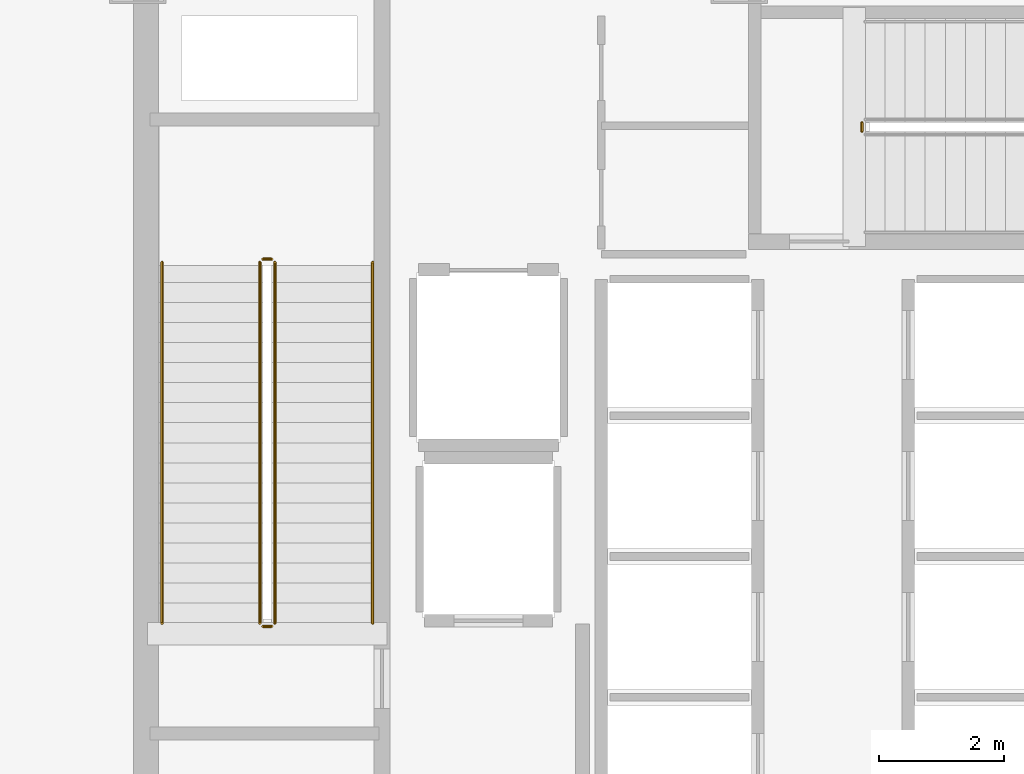
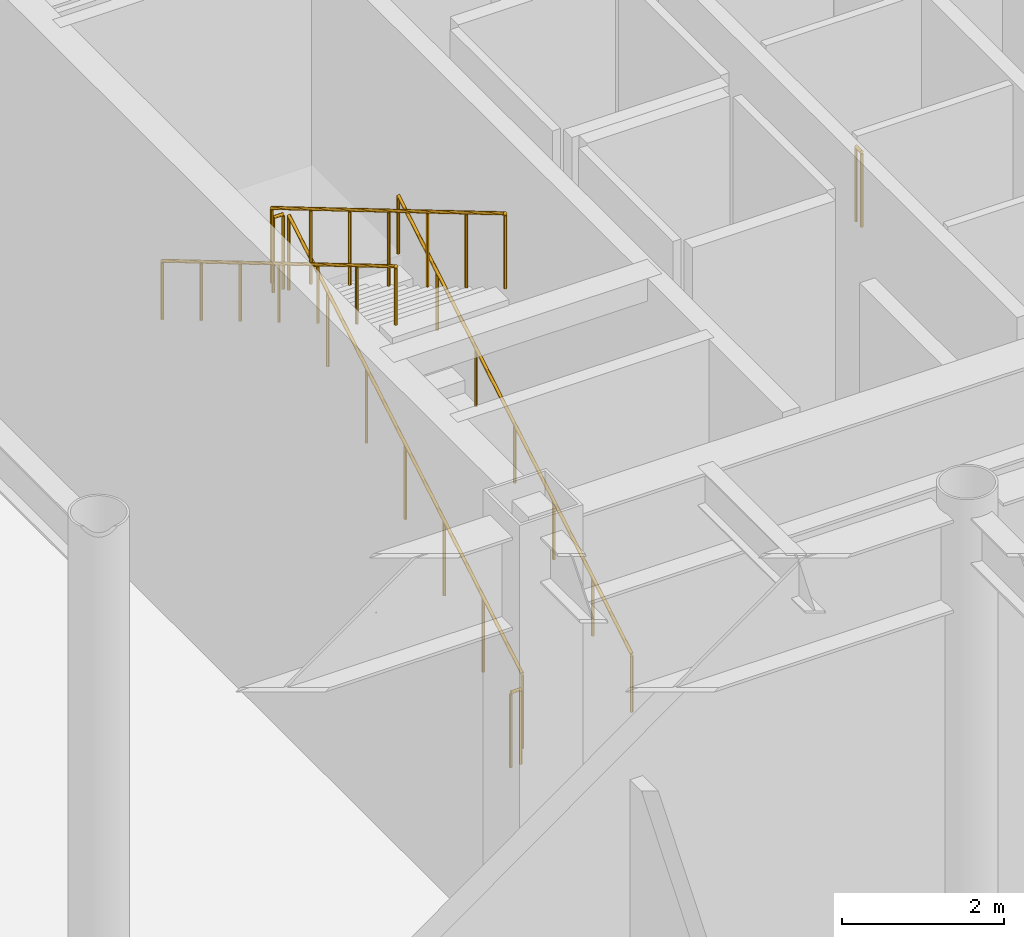
# One storey, part 20 of 23: 7 railings.
"""IFC4 building model written with IfcOpenShell, lengths in metres."""

from ifc_helpers import new_model, si_unit, direction, frame, origin, origin_2d, place, context, subcontext, project, spatial, circle, extrude, material, layer, layer_set, type_object, element, save


model = new_model("IFC4")

# Units and contexts
model_context = context("Model", 3, precision=1e-05, world=origin(), true_north=direction((0.0, 1.0)))
body_context = subcontext(model_context, "Body", "Model", "MODEL_VIEW")
ifc_project = project(units=[si_unit("LENGTHUNIT", "METRE"), si_unit("AREAUNIT", "SQUARE_METRE"), si_unit("VOLUMEUNIT", "CUBIC_METRE"), si_unit("PLANEANGLEUNIT", "RADIAN"), si_unit("MASSUNIT", "GRAM", prefix="KILO")], contexts=[model_context])

# Site, building, storey
site_placement = place(None, origin())
site = spatial("IfcSite", under=ifc_project, at=site_placement, CompositionType="ELEMENT")
building_placement = place(site_placement, origin())
building = spatial("IfcBuilding", under=site, at=building_placement, Name="Kallvorn Hotel Tower", CompositionType="ELEMENT")
storey_placement = place(building_placement, frame((0.0, 0.0, 12.0)))
storey = spatial("IfcBuildingStorey", under=building, at=storey_placement, Name="L02", CompositionType="ELEMENT", Elevation=12.0)

# Railings
ifc_material_1 = material(Name="Brushed stainless-steel tubular railing", Category="steel")
ifc_layer_1 = layer(ifc_material_1, 0.050048828125)
ifc_layer_set_1 = layer_set([ifc_layer_1], Name="RL_STAIR_GUARD")
railing_type_1 = type_object("IfcRailingType", Name="RL_STAIR_GUARD", PredefinedType="GUARDRAIL", material=ifc_layer_set_1)
railing_1_placement = place(storey_placement, frame((-12.2099609375, -3.139892578125, 0.189453125)))
element("IfcRailing", 1, at=railing_1_placement, inside=storey, type_object=railing_type_1, Name="L02 ST1 stair guard 1", PredefinedType="GUARDRAIL", context=body_context, shape_type="SweptSolid", body=[
    extrude(circle(Radius=0.02392578125, at=origin_2d()), frame((0.0, 0.0, 1.1259765625), z_axis=(0.0, 0.86046802549, 0.509504442678), x_axis=(-1.0, 0.0, 0.0)), (0.0, 0.0, 1.0), 6.694091796875),
    extrude(circle(Radius=0.02099609375, at=origin_2d()), origin(), (0.0, 0.0, 1.0), 1.101806640625),
    extrude(circle(Radius=0.02099609375, at=origin_2d()), frame((0.0, 0.9599609375, 0.568359375)), (0.0, 0.0, 1.0), 1.101806640625),
    extrude(circle(Radius=0.02099609375, at=origin_2d()), frame((0.0, 1.919921875, 1.136962890625)), (0.0, 0.0, 1.0), 1.101806640625),
    extrude(circle(Radius=0.02099609375, at=origin_2d()), frame((0.0, 2.8798828125, 1.705322265625)), (0.0, 0.0, 1.0), 1.101806640625),
    extrude(circle(Radius=0.02099609375, at=origin_2d()), frame((0.0, 3.840087890625, 2.273681640625)), (0.0, 0.0, 1.0), 1.101806640625),
    extrude(circle(Radius=0.02099609375, at=origin_2d()), frame((0.0, 4.800048828125, 2.84228515625)), (0.0, 0.0, 1.0), 1.101806640625),
    extrude(circle(Radius=0.02099609375, at=origin_2d()), frame((0.0, 5.760009765625, 3.41064453125)), (0.0, 0.0, 1.0), 1.101806640625),
])
railing_2_placement = place(storey_placement, frame((-12.260009765625, 2.669921875, 3.60009765625)))
element("IfcRailing", 2, at=railing_2_placement, inside=storey, type_object=railing_type_1, Name="L02 ST1 stair guard 2", PredefinedType="GUARDRAIL", context=body_context, shape_type="SweptSolid", body=[
    extrude(circle(Radius=0.02392578125, at=origin_2d()), frame((0.0, 0.0, 1.1259765625), z_axis=(-1.0, 0.0, 0.0), x_axis=(0.0, -1.0, 0.0)), (0.0, 0.0, 1.0), 0.139892578125),
    extrude(circle(Radius=0.02099609375, at=origin_2d()), origin(), (0.0, 0.0, 1.0), 1.101806640625),
    extrude(circle(Radius=0.02099609375, at=origin_2d()), frame((-0.139892578125, 0.0, 0.0)), (0.0, 0.0, 1.0), 1.101806640625),
])
railing_3_placement = place(storey_placement, frame((-12.449951171875, 2.6201171875, 3.78955078125)))
element("IfcRailing", 3, at=railing_3_placement, inside=storey, type_object=railing_type_1, Name="L02 ST1 stair guard 3", PredefinedType="GUARDRAIL", context=body_context, shape_type="SweptSolid", body=[
    extrude(circle(Radius=0.02392578125, at=origin_2d()), frame((0.0, 0.0, 1.1259765625), z_axis=(0.0, -0.860484014842, 0.509477438364), x_axis=(1.0, 0.0, 0.0)), (0.0, 0.0, 1.0), 6.69384765625),
    extrude(circle(Radius=0.02099609375, at=origin_2d()), origin(), (0.0, 0.0, 1.0), 1.101806640625),
    extrude(circle(Radius=0.02099609375, at=origin_2d()), frame((0.0, -0.9599609375, 0.568359375)), (0.0, 0.0, 1.0), 1.101806640625),
    extrude(circle(Radius=0.02099609375, at=origin_2d()), frame((0.0, -1.919921875, 1.13671875)), (0.0, 0.0, 1.0), 1.101806640625),
    extrude(circle(Radius=0.02099609375, at=origin_2d()), frame((0.0, -2.8798828125, 1.705078125)), (0.0, 0.0, 1.0), 1.101806640625),
    extrude(circle(Radius=0.02099609375, at=origin_2d()), frame((0.0, -3.840087890625, 2.273681640625)), (0.0, 0.0, 1.0), 1.101806640625),
    extrude(circle(Radius=0.02099609375, at=origin_2d()), frame((0.0, -4.800048828125, 2.842041015625)), (0.0, 0.0, 1.0), 1.101806640625),
    extrude(circle(Radius=0.02099609375, at=origin_2d()), frame((0.0, -5.760009765625, 3.410400390625)), (0.0, 0.0, 1.0), 1.101806640625),
])
railing_4_placement = place(storey_placement, frame((-12.260009765625, -3.18994140625, 0.0)))
element("IfcRailing", 4, at=railing_4_placement, inside=storey, type_object=railing_type_1, Name="L02 ST1 stair guard 4", PredefinedType="GUARDRAIL", context=body_context, shape_type="SweptSolid", body=[
    extrude(circle(Radius=0.02392578125, at=origin_2d()), frame((0.0, 0.0, 1.1259765625), z_axis=(-1.0, 0.0, 0.0), x_axis=(0.0, -1.0, 0.0)), (0.0, 0.0, 1.0), 0.139892578125),
    extrude(circle(Radius=0.02099609375, at=origin_2d()), origin(), (0.0, 0.0, 1.0), 1.101806640625),
    extrude(circle(Radius=0.02099609375, at=origin_2d()), frame((-0.139892578125, 0.0, 0.0)), (0.0, 0.0, 1.0), 1.101806640625),
])
railing_5_placement = place(storey_placement, frame((-2.840087890625, 4.7099609375, 0.0)))
element("IfcRailing", 5, at=railing_5_placement, inside=storey, type_object=railing_type_1, Name="L02 ST3 stair guard 4", PredefinedType="GUARDRAIL", context=body_context, shape_type="SweptSolid", body=[
    extrude(circle(Radius=0.02392578125, at=origin_2d()), frame((0.0, 0.0, 1.1259765625), z_axis=(0.0, 1.0, 0.0), x_axis=(-1.0, 0.0, 0.0)), (0.0, 0.0, 1.0), 0.14013671875),
    extrude(circle(Radius=0.02099609375, at=origin_2d()), origin(), (0.0, 0.0, 1.0), 1.101806640625),
    extrude(circle(Radius=0.02099609375, at=origin_2d()), frame((0.0, 0.14013671875, 0.0)), (0.0, 0.0, 1.0), 1.101806640625),
])
ifc_material_2 = material(Name="Brushed stainless-steel tubular railing", Category="steel")
ifc_layer_2 = layer(ifc_material_2, 0.050048828125)
ifc_layer_set_2 = layer_set([ifc_layer_2], Name="RL_STAIR_HAND")
railing_type_2 = type_object("IfcRailingType", Name="RL_STAIR_HAND", PredefinedType="HANDRAIL", material=ifc_layer_set_2)
railing_6_placement = place(storey_placement, frame((-10.64990234375, -3.139892578125, 0.189453125)))
element("IfcRailing", 6, at=railing_6_placement, inside=storey, type_object=railing_type_2, Name="L02 ST1 stair handrail 1", PredefinedType="HANDRAIL", context=body_context, shape_type="SweptSolid", body=[
    extrude(circle(Radius=0.02392578125, at=origin_2d()), frame((0.0, 0.0, 0.8759765625), z_axis=(0.0, 0.86046802549, 0.509504442678), x_axis=(-1.0, 0.0, 0.0)), (0.0, 0.0, 1.0), 6.694091796875),
    extrude(circle(Radius=0.02099609375, at=origin_2d()), origin(), (0.0, 0.0, 1.0), 0.851806640625),
    extrude(circle(Radius=0.02099609375, at=origin_2d()), frame((0.0, 0.9599609375, 0.568359375)), (0.0, 0.0, 1.0), 0.851806640625),
    extrude(circle(Radius=0.02099609375, at=origin_2d()), frame((0.0, 1.919921875, 1.136962890625)), (0.0, 0.0, 1.0), 0.851806640625),
    extrude(circle(Radius=0.02099609375, at=origin_2d()), frame((0.0, 2.8798828125, 1.705322265625)), (0.0, 0.0, 1.0), 0.851806640625),
    extrude(circle(Radius=0.02099609375, at=origin_2d()), frame((0.0, 3.840087890625, 2.273681640625)), (0.0, 0.0, 1.0), 0.851806640625),
    extrude(circle(Radius=0.02099609375, at=origin_2d()), frame((0.0, 4.800048828125, 2.84228515625)), (0.0, 0.0, 1.0), 0.851806640625),
    extrude(circle(Radius=0.02099609375, at=origin_2d()), frame((0.0, 5.760009765625, 3.41064453125)), (0.0, 0.0, 1.0), 0.851806640625),
])
railing_7_placement = place(storey_placement, frame((-14.010009765625, 2.6201171875, 3.78955078125)))
element("IfcRailing", 7, at=railing_7_placement, inside=storey, type_object=railing_type_2, Name="L02 ST1 stair handrail 2", PredefinedType="HANDRAIL", context=body_context, shape_type="SweptSolid", body=[
    extrude(circle(Radius=0.02392578125, at=origin_2d()), frame((0.0, 0.0, 0.8759765625), z_axis=(0.0, -0.860484014842, 0.509477438364), x_axis=(1.0, 0.0, 0.0)), (0.0, 0.0, 1.0), 6.69384765625),
    extrude(circle(Radius=0.02099609375, at=origin_2d()), origin(), (0.0, 0.0, 1.0), 0.851806640625),
    extrude(circle(Radius=0.02099609375, at=origin_2d()), frame((0.0, -0.9599609375, 0.568359375)), (0.0, 0.0, 1.0), 0.851806640625),
    extrude(circle(Radius=0.02099609375, at=origin_2d()), frame((0.0, -1.919921875, 1.13671875)), (0.0, 0.0, 1.0), 0.851806640625),
    extrude(circle(Radius=0.02099609375, at=origin_2d()), frame((0.0, -2.8798828125, 1.705078125)), (0.0, 0.0, 1.0), 0.851806640625),
    extrude(circle(Radius=0.02099609375, at=origin_2d()), frame((0.0, -3.840087890625, 2.273681640625)), (0.0, 0.0, 1.0), 0.851806640625),
    extrude(circle(Radius=0.02099609375, at=origin_2d()), frame((0.0, -4.800048828125, 2.842041015625)), (0.0, 0.0, 1.0), 0.851806640625),
    extrude(circle(Radius=0.02099609375, at=origin_2d()), frame((0.0, -5.760009765625, 3.410400390625)), (0.0, 0.0, 1.0), 0.851806640625),
])

save(model, "model.ifc")
